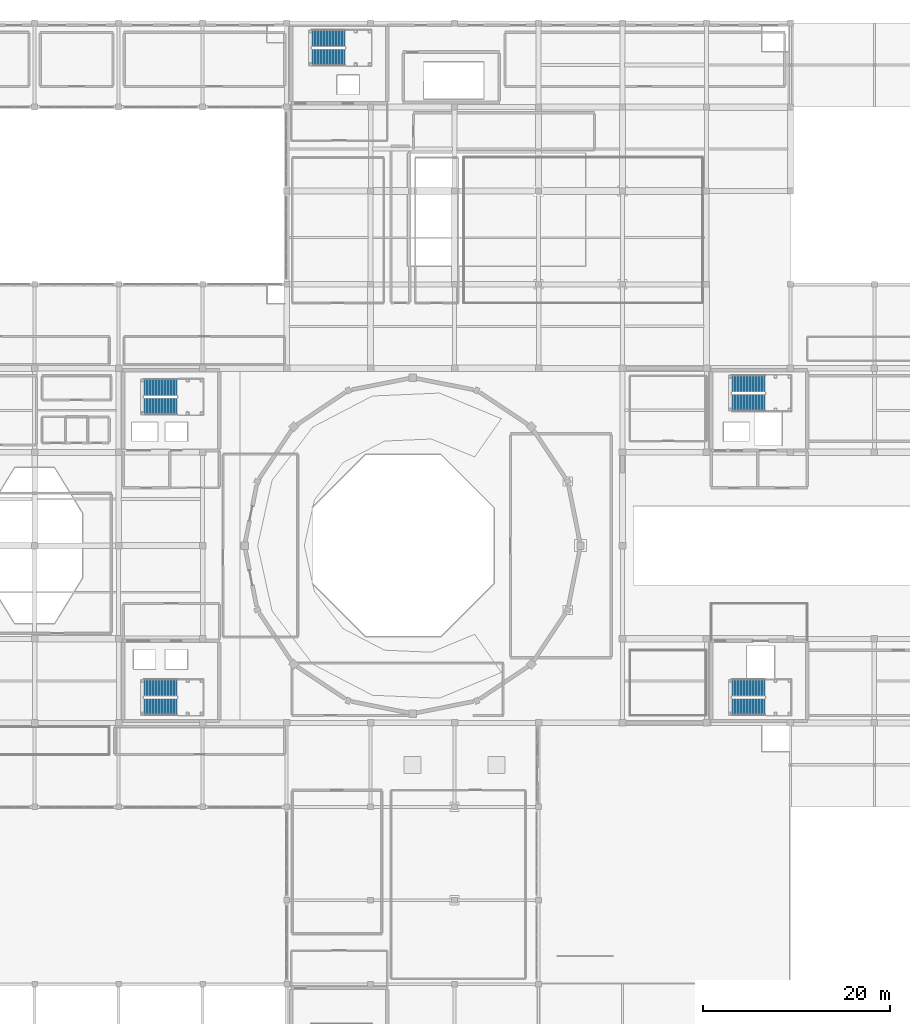
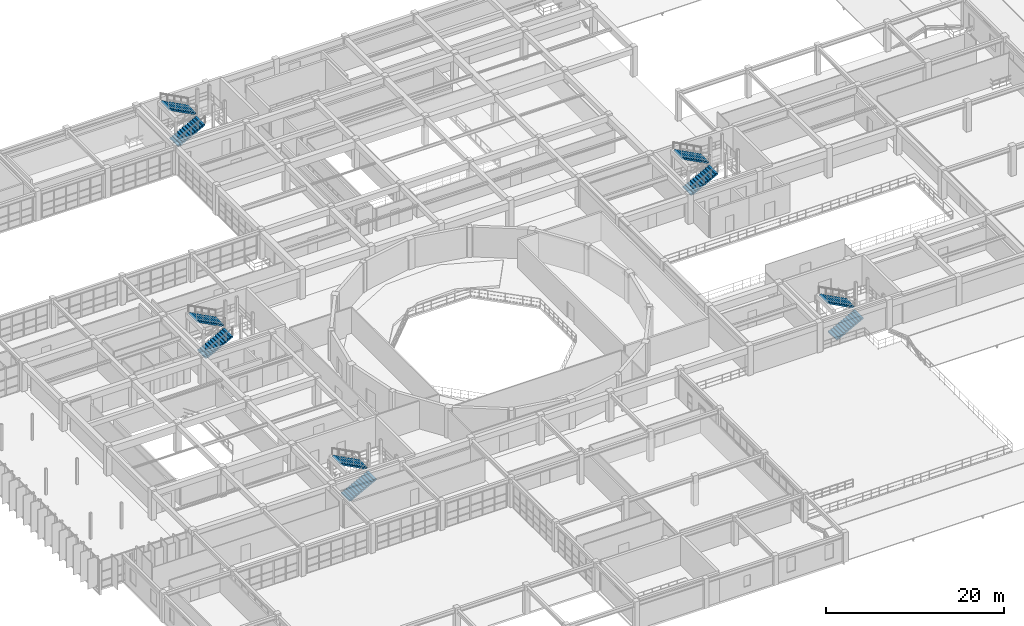
# One storey, part 101 of 110: 10 stair flights, 5 elements without a shape of their own.
"""IFC4 building model written with IfcOpenShell, lengths in metres."""

import ifcopenshell
import ifcopenshell.guid

model = None  # the IFC model being written
_history = None  # IfcOwnerHistory: only IFC2X3 demands one
_inside = {}  # id of a spatial element -> (the spatial element, [elements in it])
_under = {}  # id of a project, library or spatial element -> (it, [spatial elements below it])
_declared = {}  # id of a project -> (the project, [libraries it declares])
_typed = {}  # id of a type object -> (the type object, [elements of that type])
_made_of = {}  # id of a material, layer set ... -> (it, [elements and type objects made of it])


def new_model(schema):
    """Start an empty IFC model of exactly this schema.

    Asked for "IFC4X3", IfcOpenShell would pick the latest addendum, in which some entities
    have other attributes; the version numbers below select the first issue.
    IFC2X3 requires an IfcOwnerHistory on every rooted entity: one is made here for all.
    """
    global model, _history
    if schema == "IFC4X3":
        model = ifcopenshell.file(schema_version=(4, 3, 0, 0))
    else:
        model = ifcopenshell.file(schema=schema)
    _inside.clear()
    _under.clear()
    _declared.clear()
    _typed.clear()
    _made_of.clear()
    _history = None
    if model.schema == "IFC2X3":
        org = make("IfcOrganization", Name="unknown")
        user = make(
            "IfcPersonAndOrganization",
            ThePerson=make("IfcPerson", FamilyName="unknown"),
            TheOrganization=org,
        )
        app = make(
            "IfcApplication",
            ApplicationDeveloper=org,
            Version="unknown",
            ApplicationFullName="unknown",
            ApplicationIdentifier="unknown",
        )
        _history = make(
            "IfcOwnerHistory",
            OwningUser=user,
            OwningApplication=app,
            ChangeAction="ADDED",
            CreationDate=0,
        )
    return model


def make(cls, **values):
    """One entity of the class cls with the attributes given. An attribute that is None is left unset."""
    return model.create_entity(
        cls, **{name: value for name, value in values.items() if value is not None}
    )


def rooted(cls, **values):
    """An entity with a GlobalId (a new one), such as an element, a storey or a relation."""
    return make(cls, GlobalId=ifcopenshell.guid.new(), OwnerHistory=_history, **values)


def si_unit(unit_type, name, prefix=None):
    """IfcSIUnit, for example si_unit("LENGTHUNIT", "METRE", prefix="MILLI")."""
    return make("IfcSIUnit", UnitType=unit_type, Prefix=prefix, Name=name)


def assignment(units):
    """IfcUnitAssignment: the units of a project."""
    return None if units is None else make("IfcUnitAssignment", Units=units)


def point(xyz):
    """IfcCartesianPoint."""
    return None if xyz is None else make("IfcCartesianPoint", Coordinates=xyz)


def direction(xyz):
    """IfcDirection."""
    return None if xyz is None else make("IfcDirection", DirectionRatios=xyz)


def frame(location, z_axis=None, x_axis=None):
    """IfcAxis2Placement3D, a coordinate frame: its origin and axes. An axis left out is left unset."""
    return make(
        "IfcAxis2Placement3D",
        Location=point(location),
        Axis=direction(z_axis),
        RefDirection=direction(x_axis),
    )


def origin():
    """The frame at (0, 0, 0) with its axes left unset."""
    return frame((0.0, 0.0, 0.0))


def place(relative_to, where):
    """IfcLocalPlacement: puts the frame where relative to a parent placement (None: the world)."""
    return make(
        "IfcLocalPlacement", PlacementRelTo=relative_to, RelativePlacement=where
    )


def context(
    kind, dimensions, precision=None, world=None, true_north=None, identifier=None
):
    """IfcGeometricRepresentationContext, for example the 3D "Model" context."""
    return make(
        "IfcGeometricRepresentationContext",
        ContextIdentifier=identifier,
        ContextType=kind,
        CoordinateSpaceDimension=dimensions,
        Precision=precision,
        WorldCoordinateSystem=world,
        TrueNorth=true_north,
    )


def subcontext(parent, identifier, kind, view, scale=None):
    """IfcGeometricRepresentationSubContext, for example "Body" below "Model"."""
    return make(
        "IfcGeometricRepresentationSubContext",
        ContextIdentifier=identifier,
        ContextType=kind,
        ParentContext=parent,
        TargetScale=scale,
        TargetView=view,
    )


def project(units=None, contexts=None):
    """IfcProject with its units and contexts."""
    return rooted(
        "IfcProject",
        Name="project",
        RepresentationContexts=contexts,
        UnitsInContext=assignment(units),
    )


def spatial(cls, under=None, at=None, **own):
    """A site, building, storey or space (cls), placed at a placement, below another one or the project."""
    s = rooted(cls, ObjectPlacement=at, **own)
    if under is not None:
        _under.setdefault(under.id(), (under, []))[1].append(s)
    return s


def polyline(points):
    """IfcPolyline through the points."""
    return make("IfcPolyline", Points=[point(p) for p in points])


def outline(outer, holes=None, kind="AREA"):
    """IfcArbitraryClosedProfileDef: a profile drawn as a closed curve; with holes, ...WithVoids."""
    if holes is None:
        return make("IfcArbitraryClosedProfileDef", ProfileType=kind, OuterCurve=outer)
    return make(
        "IfcArbitraryProfileDefWithVoids",
        ProfileType=kind,
        OuterCurve=outer,
        InnerCurves=holes,
    )


def extrude(swept, where, along, depth):
    """IfcExtrudedAreaSolid: the profile swept, set in the frame where, extruded along a direction by depth."""
    return make(
        "IfcExtrudedAreaSolid",
        SweptArea=swept,
        Position=where,
        ExtrudedDirection=direction(along),
        Depth=depth,
    )


def shape(context_of_items, identifier, shape_type, items):
    """IfcShapeRepresentation: the items that make up one representation, for example the "Body"."""
    return make(
        "IfcShapeRepresentation",
        ContextOfItems=context_of_items,
        RepresentationIdentifier=identifier,
        RepresentationType=shape_type,
        Items=items,
    )


def material(Name=None, Category=None):
    """IfcMaterial."""
    return make("IfcMaterial", Name=Name, Category=Category)


def made_of(thing, what):
    """Note that an element or type object is made of a material, layer set ...; save() writes the relation."""
    if what is not None:
        _made_of.setdefault(what.id(), (what, []))[1].append(thing)
    return thing


def type_object(cls, material=None, **own):
    """A type object (cls), such as IfcWallType, which elements share."""
    return made_of(rooted(cls, **own), material)


def element(
    cls,
    number,
    at=None,
    inside=None,
    cuts=None,
    type_object=None,
    material=None,
    context=None,
    identifier="Body",
    shape_type=None,
    held_by="IfcProductDefinitionShape",
    body=None,
    shapes=None,
    **own,
):
    """One element of the class cls, such as IfcWall. Its Tag is "e" and its number.

    at: its placement. inside: the storey or other place that contains it. cuts: it is an
    opening in that element (IfcRelVoidsElement). A single representation is given by context,
    identifier, shape_type and body (its items); several are given by shapes. held_by: the class
    of the entity that holds the representations. save() writes the other relations.
    """
    e = rooted(cls, Tag="e%d" % number, ObjectPlacement=at, **own)
    if body is not None:
        shapes = [shape(context, identifier, shape_type, body)]
    if shapes is not None:
        e.Representation = make(held_by, Representations=shapes)
    if inside is not None:
        _inside.setdefault(inside.id(), (inside, []))[1].append(e)
    if cuts is not None:
        rooted(
            "IfcRelVoidsElement", RelatingBuildingElement=cuts, RelatedOpeningElement=e
        )
    if type_object is not None:
        _typed.setdefault(type_object.id(), (type_object, []))[1].append(e)
    return made_of(e, material)


def aggregate(whole, parts):
    """IfcRelAggregates: a whole, such as a stair, and the parts it consists of."""
    return rooted("IfcRelAggregates", RelatingObject=whole, RelatedObjects=parts)


def save(model, path):
    """Write the relations noted so far, then the file.

    IfcRelAggregates (storeys below a building ...), IfcRelContainedInSpatialStructure (elements
    in a storey), IfcRelDefinesByType, IfcRelAssociatesMaterial and IfcRelDeclares: one each for
    every whole, place, type object, material and project.
    """
    for whole, parts in _under.values():
        aggregate(whole, parts)
    for where, things in _inside.values():
        rooted(
            "IfcRelContainedInSpatialStructure",
            RelatedElements=things,
            RelatingStructure=where,
        )
    for kind, things in _typed.values():
        rooted("IfcRelDefinesByType", RelatedObjects=things, RelatingType=kind)
    for what, things in _made_of.values():
        rooted("IfcRelAssociatesMaterial", RelatedObjects=things, RelatingMaterial=what)
    for by, libraries in _declared.values():
        rooted("IfcRelDeclares", RelatingContext=by, RelatedDefinitions=libraries)
    model.write(path)


model = new_model("IFC4")

# Units and contexts
model_context = context("Model", 3, precision=1e-05, world=origin(), true_north=direction((0.0, 1.0)))
body_context = subcontext(model_context, "Body", "Model", "MODEL_VIEW")
ifc_project = project(units=[si_unit("LENGTHUNIT", "METRE"), si_unit("AREAUNIT", "SQUARE_METRE"), si_unit("VOLUMEUNIT", "CUBIC_METRE"), si_unit("PLANEANGLEUNIT", "RADIAN"), si_unit("MASSUNIT", "GRAM", prefix="KILO")], contexts=[model_context])

# Site, building, storey
site_placement = place(None, origin())
site = spatial("IfcSite", under=ifc_project, at=site_placement, CompositionType="ELEMENT")
building_placement = place(site_placement, origin())
building = spatial("IfcBuilding", under=site, at=building_placement, Name="Miravela Opera House", CompositionType="ELEMENT")
storey_placement = place(building_placement, frame((0.0, 0.0, 13.60009765625)))
storey = spatial("IfcBuildingStorey", under=building, at=storey_placement, Name="L03", CompositionType="ELEMENT", Elevation=13.60009765625)

# Stair, stair flights
ifc_material = material(Name="Concrete C35/45", Category="concrete")
stair_type = type_object("IfcStairType", Name="ARC-STAIR-CORE-1680", PredefinedType="HALF_TURN_STAIR", material=ifc_material)
stair_1_placement = place(storey_placement, origin())
stair_1 = element("IfcStair", 1, at=stair_1_placement, inside=storey, type_object=stair_type, Name="L03 Core K1 North Foyer and Firefighting Core Exit Stair ST-01", PredefinedType="HALF_TURN_STAIR")
stair_flight_type = type_object("IfcStairFlightType", Name="ARC-FLIGHT-1680", PredefinedType="STRAIGHT", material=ifc_material)
stair_flight_1_placement = place(storey_placement, frame((47.739990234375, 70.919921875, 0.0), z_axis=(0.0, 0.0, 1.0), x_axis=(1.0, 0.0, 0.0)))
stair_flight_1 = element("IfcStairFlight", 2, at=stair_flight_1_placement, type_object=stair_flight_type, Name="ST-01 flight 1", NumberOfRisers=12, NumberOfTreads=11, PredefinedType="STRAIGHT", RiserHeight=0.17, TreadLength=0.32, context=body_context, shape_type="SweptSolid", body=[
    extrude(outline(polyline([(0.0, 0.0), (0.0, 0.169921875), (0.320068359375, 0.169921875), (0.320068359375, 0.340087890625), (0.639892578125, 0.340087890625), (0.639892578125, 0.510009765625), (0.9599609375, 0.510009765625), (0.9599609375, 0.679931640625), (1.280029296875, 0.679931640625), (1.280029296875, 0.85009765625), (1.60009765625, 0.85009765625), (1.60009765625, 1.02001953125), (1.919921875, 1.02001953125), (1.919921875, 1.18994140625), (2.239990234375, 1.18994140625), (2.239990234375, 1.360107421875), (2.56005859375, 1.360107421875), (2.56005859375, 1.530029296875), (2.8798828125, 1.530029296875), (2.8798828125, 1.699951171875), (3.199951171875, 1.699951171875), (3.199951171875, 1.8701171875), (3.52001953125, 1.8701171875), (3.52001953125, 2.0400390625), (3.52001953125, 1.7001953125), (0.319580078125, 0.0), (0.0, 0.0)])), frame((0.0, 0.919921875, 0.0), z_axis=(0.0, -1.0, 0.0), x_axis=(1.0, 0.0, 0.0)), (0.0, 0.0, 1.0), 1.840087890625),
])
stair_flight_2_placement = place(storey_placement, frame((51.260009765625, 72.9599609375, 2.039794921875), z_axis=(0.0, 0.0, 1.0), x_axis=(-1.0, 0.0, 0.0)))
stair_flight_2 = element("IfcStairFlight", 3, at=stair_flight_2_placement, type_object=stair_flight_type, Name="ST-01 flight 2", NumberOfRisers=12, NumberOfTreads=11, PredefinedType="STRAIGHT", RiserHeight=0.17, TreadLength=0.32, context=body_context, shape_type="SweptSolid", body=[
    extrude(outline(polyline([(0.0, 0.0), (0.0, 0.169921875), (0.320068359375, 0.169921875), (0.320068359375, 0.340087890625), (0.639892578125, 0.340087890625), (0.639892578125, 0.510009765625), (0.9599609375, 0.510009765625), (0.9599609375, 0.679931640625), (1.280029296875, 0.679931640625), (1.280029296875, 0.85009765625), (1.60009765625, 0.85009765625), (1.60009765625, 1.02001953125), (1.919921875, 1.02001953125), (1.919921875, 1.18994140625), (2.239990234375, 1.18994140625), (2.239990234375, 1.360107421875), (2.56005859375, 1.360107421875), (2.56005859375, 1.530029296875), (2.8798828125, 1.530029296875), (2.8798828125, 1.699951171875), (3.199951171875, 1.699951171875), (3.199951171875, 1.8701171875), (3.52001953125, 1.8701171875), (3.52001953125, 2.0400390625), (3.52001953125, 1.7001953125), (0.319580078125, 0.0), (0.0, 0.0)])), frame((0.0, 0.919921875, 0.0), z_axis=(0.0, -1.0, 0.0), x_axis=(1.0, 0.0, 0.0)), (0.0, 0.0, 1.0), 1.840087890625),
])
aggregate(stair_1, [stair_flight_1, stair_flight_2])

stair_2_placement = place(storey_placement, origin())
stair_2 = element("IfcStair", 4, at=stair_2_placement, inside=storey, type_object=stair_type, Name="L03 Core K2 South Foyer Core Exit Stair ST-02", PredefinedType="HALF_TURN_STAIR")
stair_flight_3_placement = place(storey_placement, frame((47.739990234375, 38.719970703125, 0.0), z_axis=(0.0, 0.0, 1.0), x_axis=(1.0, 0.0, 0.0)))
stair_flight_3 = element("IfcStairFlight", 5, at=stair_flight_3_placement, type_object=stair_flight_type, Name="ST-02 flight 1", NumberOfRisers=12, NumberOfTreads=11, PredefinedType="STRAIGHT", RiserHeight=0.17, TreadLength=0.32, context=body_context, shape_type="SweptSolid", body=[
    extrude(outline(polyline([(0.0, 0.0), (0.0, 0.169921875), (0.320068359375, 0.169921875), (0.320068359375, 0.340087890625), (0.639892578125, 0.340087890625), (0.639892578125, 0.510009765625), (0.9599609375, 0.510009765625), (0.9599609375, 0.679931640625), (1.280029296875, 0.679931640625), (1.280029296875, 0.85009765625), (1.60009765625, 0.85009765625), (1.60009765625, 1.02001953125), (1.919921875, 1.02001953125), (1.919921875, 1.18994140625), (2.239990234375, 1.18994140625), (2.239990234375, 1.360107421875), (2.56005859375, 1.360107421875), (2.56005859375, 1.530029296875), (2.8798828125, 1.530029296875), (2.8798828125, 1.699951171875), (3.199951171875, 1.699951171875), (3.199951171875, 1.8701171875), (3.52001953125, 1.8701171875), (3.52001953125, 2.0400390625), (3.52001953125, 1.7001953125), (0.319580078125, 0.0), (0.0, 0.0)])), frame((0.0, 0.919921875, 0.0), z_axis=(0.0, -1.0, 0.0), x_axis=(1.0, 0.0, 0.0)), (0.0, 0.0, 1.0), 1.840087890625),
])
stair_flight_4_placement = place(storey_placement, frame((51.260009765625, 40.760009765625, 2.039794921875), z_axis=(0.0, 0.0, 1.0), x_axis=(-1.0, 0.0, 0.0)))
stair_flight_4 = element("IfcStairFlight", 6, at=stair_flight_4_placement, type_object=stair_flight_type, Name="ST-02 flight 2", NumberOfRisers=12, NumberOfTreads=11, PredefinedType="STRAIGHT", RiserHeight=0.17, TreadLength=0.32, context=body_context, shape_type="SweptSolid", body=[
    extrude(outline(polyline([(0.0, 0.0), (0.0, 0.169921875), (0.320068359375, 0.169921875), (0.320068359375, 0.340087890625), (0.639892578125, 0.340087890625), (0.639892578125, 0.510009765625), (0.9599609375, 0.510009765625), (0.9599609375, 0.679931640625), (1.280029296875, 0.679931640625), (1.280029296875, 0.85009765625), (1.60009765625, 0.85009765625), (1.60009765625, 1.02001953125), (1.919921875, 1.02001953125), (1.919921875, 1.18994140625), (2.239990234375, 1.18994140625), (2.239990234375, 1.360107421875), (2.56005859375, 1.360107421875), (2.56005859375, 1.530029296875), (2.8798828125, 1.530029296875), (2.8798828125, 1.699951171875), (3.199951171875, 1.699951171875), (3.199951171875, 1.8701171875), (3.52001953125, 1.8701171875), (3.52001953125, 2.0400390625), (3.52001953125, 1.7001953125), (0.319580078125, 0.0), (0.0, 0.0)])), frame((0.0, 0.919921875, 0.0), z_axis=(0.0, -1.0, 0.0), x_axis=(1.0, 0.0, 0.0)), (0.0, 0.0, 1.0), 1.840087890625),
])
aggregate(stair_2, [stair_flight_3, stair_flight_4])

stair_3_placement = place(storey_placement, origin())
stair_3 = element("IfcStair", 7, at=stair_3_placement, inside=storey, type_object=stair_type, Name="L03 Core K3 North Stage and Firefighting Core Exit Stair ST-03", PredefinedType="HALF_TURN_STAIR")
stair_flight_5_placement = place(storey_placement, frame((110.739990234375, 71.320068359375, 0.0), z_axis=(0.0, 0.0, 1.0), x_axis=(1.0, 0.0, 0.0)))
stair_flight_5 = element("IfcStairFlight", 8, at=stair_flight_5_placement, type_object=stair_flight_type, Name="ST-03 flight 1", NumberOfRisers=12, NumberOfTreads=11, PredefinedType="STRAIGHT", RiserHeight=0.17, TreadLength=0.32, context=body_context, shape_type="SweptSolid", body=[
    extrude(outline(polyline([(0.0, 0.0), (0.0, 0.169921875), (0.320068359375, 0.169921875), (0.320068359375, 0.340087890625), (0.639892578125, 0.340087890625), (0.639892578125, 0.510009765625), (0.9599609375, 0.510009765625), (0.9599609375, 0.679931640625), (1.280029296875, 0.679931640625), (1.280029296875, 0.85009765625), (1.60009765625, 0.85009765625), (1.60009765625, 1.02001953125), (1.919921875, 1.02001953125), (1.919921875, 1.18994140625), (2.239990234375, 1.18994140625), (2.239990234375, 1.360107421875), (2.56005859375, 1.360107421875), (2.56005859375, 1.530029296875), (2.8798828125, 1.530029296875), (2.8798828125, 1.699951171875), (3.199951171875, 1.699951171875), (3.199951171875, 1.8701171875), (3.52001953125, 1.8701171875), (3.52001953125, 2.0400390625), (3.52001953125, 1.7001953125), (0.319580078125, 0.0), (0.0, 0.0)])), frame((0.0, 0.919921875, 0.0), z_axis=(0.0, -1.0, 0.0), x_axis=(1.0, 0.0, 0.0)), (0.0, 0.0, 1.0), 1.840087890625),
])
stair_flight_6_placement = place(storey_placement, frame((114.260009765625, 73.360107421875, 2.039794921875), z_axis=(0.0, 0.0, 1.0), x_axis=(-1.0, 0.0, 0.0)))
stair_flight_6 = element("IfcStairFlight", 9, at=stair_flight_6_placement, type_object=stair_flight_type, Name="ST-03 flight 2", NumberOfRisers=12, NumberOfTreads=11, PredefinedType="STRAIGHT", RiserHeight=0.17, TreadLength=0.32, context=body_context, shape_type="SweptSolid", body=[
    extrude(outline(polyline([(0.0, 0.0), (0.0, 0.169921875), (0.320068359375, 0.169921875), (0.320068359375, 0.340087890625), (0.639892578125, 0.340087890625), (0.639892578125, 0.510009765625), (0.9599609375, 0.510009765625), (0.9599609375, 0.679931640625), (1.280029296875, 0.679931640625), (1.280029296875, 0.85009765625), (1.60009765625, 0.85009765625), (1.60009765625, 1.02001953125), (1.919921875, 1.02001953125), (1.919921875, 1.18994140625), (2.239990234375, 1.18994140625), (2.239990234375, 1.360107421875), (2.56005859375, 1.360107421875), (2.56005859375, 1.530029296875), (2.8798828125, 1.530029296875), (2.8798828125, 1.699951171875), (3.199951171875, 1.699951171875), (3.199951171875, 1.8701171875), (3.52001953125, 1.8701171875), (3.52001953125, 2.0400390625), (3.52001953125, 1.7001953125), (0.319580078125, 0.0), (0.0, 0.0)])), frame((0.0, 0.919921875, 0.0), z_axis=(0.0, -1.0, 0.0), x_axis=(1.0, 0.0, 0.0)), (0.0, 0.0, 1.0), 1.840087890625),
])
aggregate(stair_3, [stair_flight_5, stair_flight_6])

stair_4_placement = place(storey_placement, origin())
stair_4 = element("IfcStair", 10, at=stair_4_placement, inside=storey, type_object=stair_type, Name="L03 Core K4 South Stage Core Exit Stair ST-04", PredefinedType="HALF_TURN_STAIR")
stair_flight_7_placement = place(storey_placement, frame((110.739990234375, 38.719970703125, 0.0), z_axis=(0.0, 0.0, 1.0), x_axis=(1.0, 0.0, 0.0)))
stair_flight_7 = element("IfcStairFlight", 11, at=stair_flight_7_placement, type_object=stair_flight_type, Name="ST-04 flight 1", NumberOfRisers=12, NumberOfTreads=11, PredefinedType="STRAIGHT", RiserHeight=0.17, TreadLength=0.32, context=body_context, shape_type="SweptSolid", body=[
    extrude(outline(polyline([(0.0, 0.0), (0.0, 0.169921875), (0.320068359375, 0.169921875), (0.320068359375, 0.340087890625), (0.639892578125, 0.340087890625), (0.639892578125, 0.510009765625), (0.9599609375, 0.510009765625), (0.9599609375, 0.679931640625), (1.280029296875, 0.679931640625), (1.280029296875, 0.85009765625), (1.60009765625, 0.85009765625), (1.60009765625, 1.02001953125), (1.919921875, 1.02001953125), (1.919921875, 1.18994140625), (2.239990234375, 1.18994140625), (2.239990234375, 1.360107421875), (2.56005859375, 1.360107421875), (2.56005859375, 1.530029296875), (2.8798828125, 1.530029296875), (2.8798828125, 1.699951171875), (3.199951171875, 1.699951171875), (3.199951171875, 1.8701171875), (3.52001953125, 1.8701171875), (3.52001953125, 2.0400390625), (3.52001953125, 1.7001953125), (0.319580078125, 0.0), (0.0, 0.0)])), frame((0.0, 0.919921875, 0.0), z_axis=(0.0, -1.0, 0.0), x_axis=(1.0, 0.0, 0.0)), (0.0, 0.0, 1.0), 1.840087890625),
])
stair_flight_8_placement = place(storey_placement, frame((114.260009765625, 40.760009765625, 2.039794921875), z_axis=(0.0, 0.0, 1.0), x_axis=(-1.0, 0.0, 0.0)))
stair_flight_8 = element("IfcStairFlight", 12, at=stair_flight_8_placement, type_object=stair_flight_type, Name="ST-04 flight 2", NumberOfRisers=12, NumberOfTreads=11, PredefinedType="STRAIGHT", RiserHeight=0.17, TreadLength=0.32, context=body_context, shape_type="SweptSolid", body=[
    extrude(outline(polyline([(0.0, 0.0), (0.0, 0.169921875), (0.320068359375, 0.169921875), (0.320068359375, 0.340087890625), (0.639892578125, 0.340087890625), (0.639892578125, 0.510009765625), (0.9599609375, 0.510009765625), (0.9599609375, 0.679931640625), (1.280029296875, 0.679931640625), (1.280029296875, 0.85009765625), (1.60009765625, 0.85009765625), (1.60009765625, 1.02001953125), (1.919921875, 1.02001953125), (1.919921875, 1.18994140625), (2.239990234375, 1.18994140625), (2.239990234375, 1.360107421875), (2.56005859375, 1.360107421875), (2.56005859375, 1.530029296875), (2.8798828125, 1.530029296875), (2.8798828125, 1.699951171875), (3.199951171875, 1.699951171875), (3.199951171875, 1.8701171875), (3.52001953125, 1.8701171875), (3.52001953125, 2.0400390625), (3.52001953125, 1.7001953125), (0.319580078125, 0.0), (0.0, 0.0)])), frame((0.0, 0.919921875, 0.0), z_axis=(0.0, -1.0, 0.0), x_axis=(1.0, 0.0, 0.0)), (0.0, 0.0, 1.0), 1.840087890625),
])
aggregate(stair_4, [stair_flight_7, stair_flight_8])

stair_5_placement = place(storey_placement, origin())
stair_5 = element("IfcStair", 13, at=stair_5_placement, inside=storey, type_object=stair_type, Name="L03 Core K5 North Rehearsal Core Exit Stair ST-05", PredefinedType="HALF_TURN_STAIR")
stair_flight_9_placement = place(storey_placement, frame((65.739990234375, 108.320068359375, 0.0), z_axis=(0.0, 0.0, 1.0), x_axis=(1.0, 0.0, 0.0)))
stair_flight_9 = element("IfcStairFlight", 14, at=stair_flight_9_placement, type_object=stair_flight_type, Name="ST-05 flight 1", NumberOfRisers=12, NumberOfTreads=11, PredefinedType="STRAIGHT", RiserHeight=0.17, TreadLength=0.32, context=body_context, shape_type="SweptSolid", body=[
    extrude(outline(polyline([(0.0, 0.0), (0.0, 0.169921875), (0.320068359375, 0.169921875), (0.320068359375, 0.340087890625), (0.639892578125, 0.340087890625), (0.639892578125, 0.510009765625), (0.9599609375, 0.510009765625), (0.9599609375, 0.679931640625), (1.280029296875, 0.679931640625), (1.280029296875, 0.85009765625), (1.60009765625, 0.85009765625), (1.60009765625, 1.02001953125), (1.919921875, 1.02001953125), (1.919921875, 1.18994140625), (2.239990234375, 1.18994140625), (2.239990234375, 1.360107421875), (2.56005859375, 1.360107421875), (2.56005859375, 1.530029296875), (2.8798828125, 1.530029296875), (2.8798828125, 1.699951171875), (3.199951171875, 1.699951171875), (3.199951171875, 1.8701171875), (3.52001953125, 1.8701171875), (3.52001953125, 2.0400390625), (3.52001953125, 1.7001953125), (0.319580078125, 0.0), (0.0, 0.0)])), frame((0.0, 0.919921875, 0.0), z_axis=(0.0, -1.0, 0.0), x_axis=(1.0, 0.0, 0.0)), (0.0, 0.0, 1.0), 1.840087890625),
])
stair_flight_10_placement = place(storey_placement, frame((69.260009765625, 110.360107421875, 2.039794921875), z_axis=(0.0, 0.0, 1.0), x_axis=(-1.0, 0.0, 0.0)))
stair_flight_10 = element("IfcStairFlight", 15, at=stair_flight_10_placement, type_object=stair_flight_type, Name="ST-05 flight 2", NumberOfRisers=12, NumberOfTreads=11, PredefinedType="STRAIGHT", RiserHeight=0.17, TreadLength=0.32, context=body_context, shape_type="SweptSolid", body=[
    extrude(outline(polyline([(0.0, 0.0), (0.0, 0.169921875), (0.320068359375, 0.169921875), (0.320068359375, 0.340087890625), (0.639892578125, 0.340087890625), (0.639892578125, 0.510009765625), (0.9599609375, 0.510009765625), (0.9599609375, 0.679931640625), (1.280029296875, 0.679931640625), (1.280029296875, 0.85009765625), (1.60009765625, 0.85009765625), (1.60009765625, 1.02001953125), (1.919921875, 1.02001953125), (1.919921875, 1.18994140625), (2.239990234375, 1.18994140625), (2.239990234375, 1.360107421875), (2.56005859375, 1.360107421875), (2.56005859375, 1.530029296875), (2.8798828125, 1.530029296875), (2.8798828125, 1.699951171875), (3.199951171875, 1.699951171875), (3.199951171875, 1.8701171875), (3.52001953125, 1.8701171875), (3.52001953125, 2.0400390625), (3.52001953125, 1.7001953125), (0.319580078125, 0.0), (0.0, 0.0)])), frame((0.0, 0.919921875, 0.0), z_axis=(0.0, -1.0, 0.0), x_axis=(1.0, 0.0, 0.0)), (0.0, 0.0, 1.0), 1.840087890625),
])
aggregate(stair_5, [stair_flight_9, stair_flight_10])

save(model, "model.ifc")
